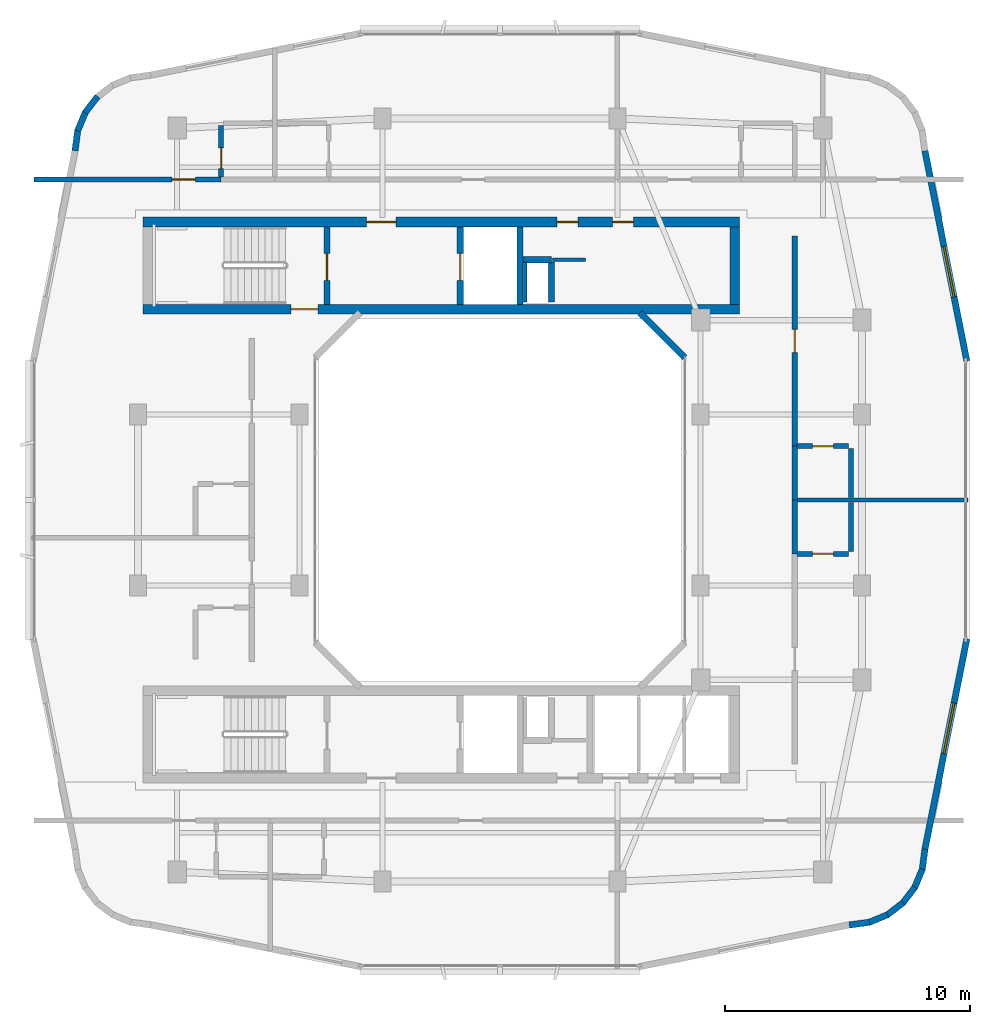
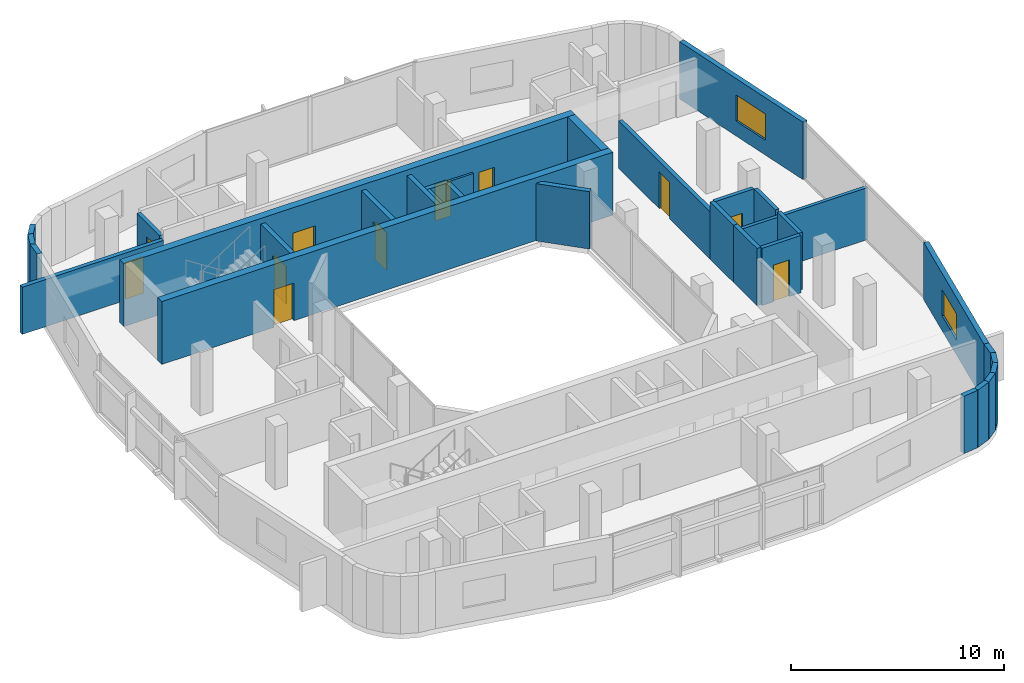
# One storey, part 8 of 13: 32 walls, 11 doors, 2 windows, 13 openings.
"""IFC4 building model written with IfcOpenShell, lengths in metres."""

from ifc_helpers import new_model, si_unit, derived_unit, direction, frame, frame_2d, origin, place, context, subcontext, project, spatial, rectangle, extrude, material, layer, layer_set, type_object, element, fill, save


model = new_model("IFC4")

# Units and contexts
model_context = context("Model", 3, precision=1e-05, world=origin(), true_north=direction((0.0, 1.0)))
body_context = subcontext(model_context, "Body", "Model", "MODEL_VIEW")
ifc_project = project(units=[si_unit("LENGTHUNIT", "METRE"), si_unit("AREAUNIT", "SQUARE_METRE"), si_unit("VOLUMEUNIT", "CUBIC_METRE"), si_unit("PLANEANGLEUNIT", "RADIAN"), si_unit("MASSUNIT", "GRAM", prefix="KILO"), derived_unit("THERMALTRANSMITTANCEUNIT", [(si_unit("POWERUNIT", "WATT"), 1), (si_unit("LENGTHUNIT", "METRE"), -2), (si_unit("THERMODYNAMICTEMPERATUREUNIT", "KELVIN"), -1)])], contexts=[model_context])

# Site, building, storey
site_placement = place(None, origin())
site = spatial("IfcSite", under=ifc_project, at=site_placement, CompositionType="ELEMENT")
building_placement = place(site_placement, origin())
building = spatial("IfcBuilding", under=site, at=building_placement, Name="Kivonza Crest Hotel", CompositionType="ELEMENT")
storey_placement = place(building_placement, frame((0.0, 0.0, 235.10009765625)))
storey = spatial("IfcBuildingStorey", under=building, at=storey_placement, Name="L64", CompositionType="ELEMENT", Elevation=235.10009765625)

# Wall
ifc_material_1 = material(Name="High-density acoustic masonry inter-tenancy wall", Category="masonry")
ifc_layer_1 = layer(ifc_material_1, 0.179931640625)
ifc_layer_set_1 = layer_set([ifc_layer_1], Name="High-density acoustic masonry inter-tenancy wall")
wall_type_1 = type_object("IfcWallType", Name="WL-ACOU-180", PredefinedType="SOLIDWALL", material=ifc_layer_set_1)
wall_1_placement = place(storey_placement, frame((33.050048828125, 25.0, 0.0), z_axis=(0.0, 0.0, 1.0), x_axis=(1.0, 0.0, 0.0)))
element("IfcWall", 1, at=wall_1_placement, inside=storey, type_object=wall_type_1, Name="L64 interior partition WA-L64-T1E-DIV1", PredefinedType="SOLIDWALL", context=body_context, shape_type="SweptSolid", body=[
    extrude(rectangle(XDim=7.08984375, YDim=0.179931640625, at=frame_2d((3.544921875, 0.0))), origin(), (0.0, 0.0, 1.0), 2.974853515625),
])

# Wall, opening, door
ifc_material_2 = material(Name="Autoclaved aerated concrete blockwork", Category="masonry")
ifc_layer_2 = layer(ifc_material_2, 0.219970703125)
ifc_layer_set_2 = layer_set([ifc_layer_2], Name="Autoclaved aerated concrete blockwork")
wall_type_2 = type_object("IfcWallType", Name="WL-ACOU-220", PredefinedType="SOLIDWALL", material=ifc_layer_set_2)
wall_2_placement = place(storey_placement, frame((1.9599609375, 38.10009765625, 0.0), z_axis=(0.0, 0.0, 1.0), x_axis=(1.0, 0.0, 0.0)))
wall_2 = element("IfcWall", 2, at=wall_2_placement, inside=storey, type_object=wall_type_2, Name="L64 interior partition WA-L64-N01-MCORR", PredefinedType="SOLIDWALL", context=body_context, shape_type="SweptSolid", body=[
    extrude(rectangle(XDim=7.64013671875, YDim=0.219970703125, at=frame_2d((3.820068359375, 0.0))), origin(), (0.0, 0.0, 1.0), 2.704833984375),
])
opening_1_placement = place(wall_2_placement, frame((5.639892578125, 0.0, 0.0)))
opening_1 = element("IfcOpeningElement", 3, at=opening_1_placement, cuts=wall_2, Name="Opening DU-60", PredefinedType="OPENING", context=body_context, shape_type="SweptSolid", body=[
    extrude(rectangle(XDim=0.949951171875, YDim=2.10009765625, at=frame_2d((0.47509765625, 1.050048828125))), frame((0.0, 0.1201171875, 0.0), z_axis=(0.0, -1.0, 0.0), x_axis=(1.0, 0.0, 0.0)), (0.0, 0.0, 1.0), 0.239990234375),
])
ifc_material_3 = material(Name="Hardwood timber oak", Category="wood")
door_type_1 = type_object("IfcDoorType", Name="DR-UNIT-950", OperationType="NOTDEFINED", PredefinedType="DOOR", material=ifc_material_3)
door_1_placement = place(opening_1_placement, origin())
door_1 = element("IfcDoor", 4, at=door_1_placement, inside=storey, type_object=door_type_1, Name="L64 N01 guest unit entrance fire door", OperationType="SINGLE_SWING_LEFT", OverallHeight=2.10009765625, OverallWidth=0.949951171875, PredefinedType="DOOR", context=body_context, shape_type="SweptSolid", body=[
    extrude(rectangle(XDim=0.949951171875, YDim=2.10009765625, at=frame_2d((0.47509765625, 1.050048828125))), frame((0.0, 0.02490234375, 0.0), z_axis=(0.0, -1.0, 0.0), x_axis=(1.0, 0.0, 0.0)), (0.0, 0.0, 1.0), 0.050048828125),
])
fill(opening_1, door_1)

# Walls
for number, where, z_axis, x_axis, name in (
    (5, (33.050048828125, 22.800048828125, 0.0), (0.0, 0.0, 1.0), (0.0, 1.0, 0.0), "L64 interior partition WA-L64-E08-BCORR"),
    (6, (33.050048828125, 25.0, 0.0), (0.0, 0.0, 1.0), (0.0, 1.0, 0.0), "L64 interior partition WA-L64-E09-BCORR"),
):
    element("IfcWall", number, at=place(storey_placement, frame(where, z_axis=z_axis, x_axis=x_axis)), inside=storey, type_object=wall_type_2, Name=name, PredefinedType="SOLIDWALL", context=body_context, shape_type="SweptSolid", body=[
        extrude(rectangle(XDim=2.199951171875, YDim=0.219970703125, at=frame_2d((1.10009765625, 0.0))), origin(), (0.0, 0.0, 1.0), 3.27978515625),
    ])

# Wall, opening, door
wall_3_placement = place(storey_placement, frame((33.050048828125, 27.199951171875, 0.0), z_axis=(0.0, 0.0, 1.0), x_axis=(0.0, 1.0, 0.0)))
wall_3 = element("IfcWall", 7, at=wall_3_placement, inside=storey, type_object=wall_type_2, Name="L64 interior partition WA-L64-E09-MCORR", PredefinedType="SOLIDWALL", context=body_context, shape_type="SweptSolid", body=[
    extrude(rectangle(XDim=8.60009765625, YDim=0.219970703125, at=frame_2d((4.300048828125, 0.0))), origin(), (0.0, 0.0, 1.0), 2.704833984375),
])
opening_2_placement = place(wall_3_placement, frame((3.824951171875, 0.0, 0.0)))
opening_2 = element("IfcOpeningElement", 8, at=opening_2_placement, cuts=wall_3, Name="Opening DU-60", PredefinedType="OPENING", context=body_context, shape_type="SweptSolid", body=[
    extrude(rectangle(XDim=0.949951171875, YDim=2.10009765625, at=frame_2d((0.47509765625, 1.050048828125))), frame((0.0, 0.1201171875, 0.0), z_axis=(0.0, -1.0, 0.0), x_axis=(1.0, 0.0, 0.0)), (0.0, 0.0, 1.0), 0.239990234375),
])
door_2_placement = place(opening_2_placement, frame((0.949951171875, 0.0, 0.0), z_axis=(0.0, 0.0, 1.0), x_axis=(-1.0, 0.0, 0.0)))
door_2 = element("IfcDoor", 9, at=door_2_placement, inside=storey, type_object=door_type_1, Name="L64 E09 guest unit entrance fire door", OperationType="SINGLE_SWING_LEFT", OverallHeight=2.10009765625, OverallWidth=0.949951171875, PredefinedType="DOOR", context=body_context, shape_type="SweptSolid", body=[
    extrude(rectangle(XDim=0.949951171875, YDim=2.10009765625, at=frame_2d((0.47509765625, 1.050048828125))), frame((0.0, 0.02490234375, 0.0), z_axis=(0.0, -1.0, 0.0), x_axis=(1.0, 0.0, 0.0)), (0.0, 0.0, 1.0), 0.050048828125),
])
fill(opening_2, door_2)

ifc_material_4 = material(Name="Concrete C50/60", Category="concrete")
ifc_layer_3 = layer(ifc_material_4, 0.39990234375)
ifc_layer_set_3 = layer_set([ifc_layer_3], Name="Concrete C50/60")
wall_type_3 = type_object("IfcWallType", Name="WL-CORE-400", PredefinedType="SHEAR", material=ifc_layer_set_3)
wall_4_placement = place(storey_placement, frame((6.39990234375, 32.800048828125, 0.0), z_axis=(0.0, 0.0, 1.0), x_axis=(1.0, 0.0, 0.0)))
wall_4 = element("IfcWall", 10, at=wall_4_placement, inside=storey, type_object=wall_type_3, Name="Core wall T1-N South L64", PredefinedType="SHEAR", context=body_context, shape_type="SweptSolid", body=[
    extrude(rectangle(XDim=24.400146484375, YDim=0.39990234375, at=frame_2d((12.2001953125, 0.0))), origin(), (0.0, 0.0, 1.0), 3.599853515625),
])
opening_3_placement = place(wall_4_placement, frame((6.050048828125, 0.0, 0.0)))
opening_3 = element("IfcOpeningElement", 11, at=opening_3_placement, cuts=wall_4, Name="Opening DF-120", PredefinedType="OPENING", context=body_context, shape_type="SweptSolid", body=[
    extrude(rectangle(XDim=1.10009765625, YDim=2.14990234375, at=frame_2d((0.550048828125, 1.074951171875))), frame((0.0, 0.2099609375, 0.0), z_axis=(0.0, -1.0, 0.0), x_axis=(1.0, 0.0, 0.0)), (0.0, 0.0, 1.0), 0.419921875),
])
ifc_material_5 = material(Name="Galvanised steel", Category="steel")
door_type_2 = type_object("IfcDoorType", Name="DR-FD120-1100", OperationType="NOTDEFINED", PredefinedType="DOOR", material=ifc_material_5)
door_3_placement = place(opening_3_placement, origin())
door_3 = element("IfcDoor", 12, at=door_3_placement, inside=storey, type_object=door_type_2, Name="L64 West corridor stair access fire door", OperationType="SINGLE_SWING_LEFT", OverallHeight=2.14990234375, OverallWidth=1.10009765625, PredefinedType="DOOR", context=body_context, shape_type="SweptSolid", body=[
    extrude(rectangle(XDim=1.10009765625, YDim=2.14990234375, at=frame_2d((0.550048828125, 1.074951171875))), frame((0.0, 0.02490234375, 0.0), z_axis=(0.0, -1.0, 0.0), x_axis=(1.0, 0.0, 0.0)), (0.0, 0.0, 1.0), 0.050048828125),
])
fill(opening_3, door_3)

# Wall, openings, doors
wall_5_placement = place(storey_placement, frame((6.39990234375, 36.360107421875, 0.0), z_axis=(0.0, 0.0, 1.0), x_axis=(1.0, 0.0, 0.0)))
wall_5 = element("IfcWall", 13, at=wall_5_placement, inside=storey, type_object=wall_type_3, Name="Core wall T1-N North L64", PredefinedType="SHEAR", context=body_context, shape_type="SweptSolid", body=[
    extrude(rectangle(XDim=24.400146484375, YDim=0.39990234375, at=frame_2d((12.2001953125, 0.0))), origin(), (0.0, 0.0, 1.0), 3.599853515625),
])
opening_4_placement = place(wall_5_placement, frame((9.14990234375, 0.0, 0.0)))
opening_4 = element("IfcOpeningElement", 14, at=opening_4_placement, cuts=wall_5, Name="Opening DF-60", PredefinedType="OPENING", context=body_context, shape_type="SweptSolid", body=[
    extrude(rectangle(XDim=1.199951171875, YDim=2.14990234375, at=frame_2d((0.60009765625, 1.074951171875))), frame((0.0, 0.2099609375, 0.0), z_axis=(0.0, -1.0, 0.0), x_axis=(1.0, 0.0, 0.0)), (0.0, 0.0, 1.0), 0.419921875),
])
opening_5_placement = place(wall_5_placement, frame((19.199951171875, 0.0, 0.0)))
opening_5 = element("IfcOpeningElement", 15, at=opening_5_placement, cuts=wall_5, Name="Opening DF-60R", PredefinedType="OPENING", context=body_context, shape_type="SweptSolid", body=[
    extrude(rectangle(XDim=0.85009765625, YDim=2.10009765625, at=frame_2d((0.425048828125, 1.050048828125))), frame((0.0, 0.2099609375, 0.0), z_axis=(0.0, -1.0, 0.0), x_axis=(1.0, 0.0, 0.0)), (0.0, 0.0, 1.0), 0.419921875),
])
opening_6_placement = place(wall_5_placement, frame((16.93994140625, 0.0, 0.0)))
opening_6 = element("IfcOpeningElement", 16, at=opening_6_placement, cuts=wall_5, Name="Opening DF-60R", PredefinedType="OPENING", context=body_context, shape_type="SweptSolid", body=[
    extrude(rectangle(XDim=0.85009765625, YDim=2.10009765625, at=frame_2d((0.425048828125, 1.050048828125))), frame((0.0, 0.2099609375, 0.0), z_axis=(0.0, -1.0, 0.0), x_axis=(1.0, 0.0, 0.0)), (0.0, 0.0, 1.0), 0.419921875),
])
door_type_3 = type_object("IfcDoorType", Name="DR-FD60-1200", OperationType="NOTDEFINED", PredefinedType="DOOR", material=ifc_material_3)
door_4_placement = place(opening_4_placement, origin())
door_4 = element("IfcDoor", 17, at=door_4_placement, inside=storey, type_object=door_type_3, Name="L64 T1-N firefighting lobby fire door", OperationType="SINGLE_SWING_RIGHT", OverallHeight=2.14990234375, OverallWidth=1.199951171875, PredefinedType="DOOR", context=body_context, shape_type="SweptSolid", body=[
    extrude(rectangle(XDim=1.199951171875, YDim=2.14990234375, at=frame_2d((0.60009765625, 1.074951171875))), frame((0.0, 0.02490234375, 0.0), z_axis=(0.0, -1.0, 0.0), x_axis=(1.0, 0.0, 0.0)), (0.0, 0.0, 1.0), 0.050048828125),
])
fill(opening_4, door_4)
door_type_4 = type_object("IfcDoorType", Name="DR-FD60-850", OperationType="NOTDEFINED", PredefinedType="DOOR", material=ifc_material_3)
door_5_placement = place(opening_5_placement, origin())
door_5 = element("IfcDoor", 18, at=door_5_placement, inside=storey, type_object=door_type_4, Name="L64 T1-N reclaimed core service door", OperationType="SINGLE_SWING_LEFT", OverallHeight=2.10009765625, OverallWidth=0.85009765625, PredefinedType="DOOR", context=body_context, shape_type="SweptSolid", body=[
    extrude(rectangle(XDim=0.85009765625, YDim=2.10009765625, at=frame_2d((0.425048828125, 1.050048828125))), frame((0.0, 0.02490234375, 0.0), z_axis=(0.0, -1.0, 0.0), x_axis=(1.0, 0.0, 0.0)), (0.0, 0.0, 1.0), 0.050048828125),
])
fill(opening_5, door_5)
door_6_placement = place(opening_6_placement, origin())
door_6 = element("IfcDoor", 19, at=door_6_placement, inside=storey, type_object=door_type_4, Name="L64 T1-N core room door", OperationType="SINGLE_SWING_RIGHT", OverallHeight=2.10009765625, OverallWidth=0.85009765625, PredefinedType="DOOR", context=body_context, shape_type="SweptSolid", body=[
    extrude(rectangle(XDim=0.85009765625, YDim=2.10009765625, at=frame_2d((0.425048828125, 1.050048828125))), frame((0.0, 0.02490234375, 0.0), z_axis=(0.0, -1.0, 0.0), x_axis=(1.0, 0.0, 0.0)), (0.0, 0.0, 1.0), 0.050048828125),
])
fill(opening_6, door_6)

# Walls
wall_6_placement = place(storey_placement, frame((30.60009765625, 33.0, 0.0), z_axis=(0.0, 0.0, 1.0), x_axis=(0.0, 1.0, 0.0)))
element("IfcWall", 20, at=wall_6_placement, inside=storey, type_object=wall_type_3, Name="Core wall T1-N East L64", PredefinedType="SHEAR", context=body_context, shape_type="SweptSolid", body=[
    extrude(rectangle(XDim=3.159912109375, YDim=0.39990234375, at=frame_2d((1.580078125, 0.0))), origin(), (0.0, 0.0, 1.0), 3.599853515625),
])
ifc_material_6 = material(Name="Precast concrete C40/50", Category="concrete")
ifc_layer_4 = layer(ifc_material_6, 0.260009765625)
ifc_layer_set_4 = layer_set([ifc_layer_4], Name="Precast concrete C40/50")
wall_type_4 = type_object("IfcWallType", Name="WL-EXT-260", PredefinedType="STANDARD", material=ifc_layer_set_4)
wall_7_placement = place(storey_placement, frame((35.27490234375, 7.6279296875, 0.0), z_axis=(0.0, 0.0, 1.0), x_axis=(0.9913883573, 0.130954667764, 0.0)))
element("IfcWall", 21, at=wall_7_placement, inside=storey, type_object=wall_type_4, Name="L64 T1 exterior insulated wall 10", PredefinedType="STANDARD", context=body_context, shape_type="SweptSolid", body=[
    extrude(rectangle(XDim=0.833251953125, YDim=0.260009765625, at=frame_2d((0.41650390625, 0.0))), origin(), (0.0, 0.0, 1.0), 3.27978515625),
])
wall_8_placement = place(storey_placement, frame((36.054931640625, 7.718994140625, 0.0), z_axis=(0.0, 0.0, 1.0), x_axis=(0.923754491172, 0.382985169477, 0.0)))
element("IfcWall", 22, at=wall_8_placement, inside=storey, type_object=wall_type_4, Name="L64 T1 exterior insulated wall 11", PredefinedType="STANDARD", context=body_context, shape_type="SweptSolid", body=[
    extrude(rectangle(XDim=0.85107421875, YDim=0.260009765625, at=frame_2d((0.425537109375, 0.0))), origin(), (0.0, 0.0, 1.0), 3.27978515625),
])
for number, where, z_axis, x_axis, name in (
    (23, (36.801025390625, 8.01708984375, 0.0), (0.0, 0.0, 1.0), (0.793999057278, 0.607918988881, 0.0), "L64 T1 exterior insulated wall 12"),
    (24, (37.445068359375, 8.49609375, 0.0), (0.0, 0.0, 1.0), (0.608057619941, 0.793892896323, 0.0), "L64 T1 exterior insulated wall 13"),
):
    element("IfcWall", number, at=place(storey_placement, frame(where, z_axis=z_axis, x_axis=x_axis)), inside=storey, type_object=wall_type_4, Name=name, PredefinedType="STANDARD", context=body_context, shape_type="SweptSolid", body=[
        extrude(rectangle(XDim=0.85009765625, YDim=0.260009765625, at=frame_2d((0.425048828125, 0.0))), origin(), (0.0, 0.0, 1.0), 3.27978515625),
    ])
wall_9_placement = place(storey_placement, frame((37.94091796875, 9.126953125, 0.0), z_axis=(0.0, 0.0, 1.0), x_axis=(0.383229930484, 0.923652976167, 0.0)))
element("IfcWall", 25, at=wall_9_placement, inside=storey, type_object=wall_type_4, Name="L64 T1 exterior insulated wall 14", PredefinedType="STANDARD", context=body_context, shape_type="SweptSolid", body=[
    extrude(rectangle(XDim=0.85107421875, YDim=0.260009765625, at=frame_2d((0.425537109375, 0.0))), origin(), (0.0, 0.0, 1.0), 3.27978515625),
])
wall_10_placement = place(storey_placement, frame((38.259033203125, 9.864013671875, 0.0), z_axis=(0.0, 0.0, 1.0), x_axis=(0.130156359936, 0.991493480548, 0.0)))
element("IfcWall", 26, at=wall_10_placement, inside=storey, type_object=wall_type_4, Name="L64 T1 exterior insulated wall 15", PredefinedType="STANDARD", context=body_context, shape_type="SweptSolid", body=[
    extrude(rectangle(XDim=0.868408203125, YDim=0.260009765625, at=frame_2d((0.43408203125, 0.0))), origin(), (0.0, 0.0, 1.0), 3.27978515625),
])

# Wall, opening, window
wall_11_placement = place(storey_placement, frame((38.37109375, 10.717041015625, 0.0), z_axis=(0.0, 0.0, 1.0), x_axis=(0.195291715883, 0.980745199176, 0.0)))
wall_11 = element("IfcWall", 27, at=wall_11_placement, inside=storey, type_object=wall_type_4, Name="L64 T1 exterior insulated wall 16", PredefinedType="STANDARD", context=body_context, shape_type="SweptSolid", body=[
    extrude(rectangle(XDim=8.77099609375, YDim=0.260009765625, at=frame_2d((4.385498046875, 0.0))), origin(), (0.0, 0.0, 1.0), 3.27978515625),
])
opening_7_placement = place(wall_11_placement, frame((4.0, 0.0, 0.85009765625)))
opening_7 = element("IfcOpeningElement", 28, at=opening_7_placement, cuts=wall_11, Name="Opening WN-04", PredefinedType="OPENING", context=body_context, shape_type="SweptSolid", body=[
    extrude(rectangle(XDim=2.10009765625, YDim=1.5, at=frame_2d((1.050048828125, 0.75))), frame((0.0, 0.14013671875, 0.0), z_axis=(0.0, -1.0, 0.0), x_axis=(1.0, 0.0, 0.0)), (0.0, 0.0, 1.0), 0.280029296875),
])
ifc_material_7 = material(Name="Thermally broken bronze aluminium and low-E double glazing", Category="aluminium")
window_type = type_object("IfcWindowType", Name="WN-210x150", PartitioningType="DOUBLE_PANEL_VERTICAL", PredefinedType="WINDOW", material=ifc_material_7)
window_1_placement = place(opening_7_placement, origin())
window_1 = element("IfcWindow", 29, at=window_1_placement, inside=storey, type_object=window_type, Name="L64 T1 facade window 16", OverallHeight=1.5, OverallWidth=2.10009765625, PartitioningType="SINGLE_PANEL", PredefinedType="WINDOW", context=body_context, shape_type="SweptSolid", body=[
    extrude(rectangle(XDim=2.10009765625, YDim=1.5, at=frame_2d((1.050048828125, 0.75))), frame((0.0, 0.030029296875, 0.0), z_axis=(0.0, -1.0, 0.0), x_axis=(1.0, 0.0, 0.0)), (0.0, 0.0, 1.0), 0.06005859375),
])
fill(opening_7, window_1)

wall_12_placement = place(storey_placement, frame((40.083984375, 30.680908203125, 0.0), z_axis=(0.0, 0.0, 1.0), x_axis=(-0.195291715883, 0.980745199176, 0.0)))
wall_12 = element("IfcWall", 30, at=wall_12_placement, inside=storey, type_object=wall_type_4, Name="L64 T1 exterior insulated wall 18", PredefinedType="STANDARD", context=body_context, shape_type="SweptSolid", body=[
    extrude(rectangle(XDim=8.77099609375, YDim=0.260009765625, at=frame_2d((4.385498046875, 0.0))), origin(), (0.0, 0.0, 1.0), 3.27978515625),
])
opening_8_placement = place(wall_12_placement, frame((2.669921875, 0.0, 0.85009765625)))
opening_8 = element("IfcOpeningElement", 31, at=opening_8_placement, cuts=wall_12, Name="Opening WN-04", PredefinedType="OPENING", context=body_context, shape_type="SweptSolid", body=[
    extrude(rectangle(XDim=2.10009765625, YDim=1.5, at=frame_2d((1.050048828125, 0.75))), frame((0.0, 0.14013671875, 0.0), z_axis=(0.0, -1.0, 0.0), x_axis=(1.0, 0.0, 0.0)), (0.0, 0.0, 1.0), 0.280029296875),
])
window_2_placement = place(opening_8_placement, origin())
window_2 = element("IfcWindow", 32, at=window_2_placement, inside=storey, type_object=window_type, Name="L64 T1 facade window 18", OverallHeight=1.5, OverallWidth=2.10009765625, PartitioningType="SINGLE_PANEL", PredefinedType="WINDOW", context=body_context, shape_type="SweptSolid", body=[
    extrude(rectangle(XDim=2.10009765625, YDim=1.5, at=frame_2d((1.050048828125, 0.75))), frame((0.0, 0.030029296875, 0.0), z_axis=(0.0, -1.0, 0.0), x_axis=(1.0, 0.0, 0.0)), (0.0, 0.0, 1.0), 0.06005859375),
])
fill(opening_8, window_2)

# Walls
wall_13_placement = place(storey_placement, frame((4.554931640625, 41.50390625, 0.0), z_axis=(0.0, 0.0, 1.0), x_axis=(-0.608057619941, -0.793892896323, 0.0)))
element("IfcWall", 33, at=wall_13_placement, inside=storey, type_object=wall_type_4, Name="L64 T1 exterior insulated wall 31", PredefinedType="STANDARD", context=body_context, shape_type="SweptSolid", body=[
    extrude(rectangle(XDim=0.85009765625, YDim=0.260009765625, at=frame_2d((0.425048828125, 0.0))), origin(), (0.0, 0.0, 1.0), 3.27978515625),
])
wall_14_placement = place(storey_placement, frame((4.05908203125, 40.873046875, 0.0), z_axis=(0.0, 0.0, 1.0), x_axis=(-0.383229930484, -0.923652976167, 0.0)))
element("IfcWall", 34, at=wall_14_placement, inside=storey, type_object=wall_type_4, Name="L64 T1 exterior insulated wall 32", PredefinedType="STANDARD", context=body_context, shape_type="SweptSolid", body=[
    extrude(rectangle(XDim=0.85107421875, YDim=0.260009765625, at=frame_2d((0.425537109375, 0.0))), origin(), (0.0, 0.0, 1.0), 3.27978515625),
])
wall_15_placement = place(storey_placement, frame((3.740966796875, 40.135986328125, 0.0), z_axis=(0.0, 0.0, 1.0), x_axis=(-0.130156359936, -0.991493480548, 0.0)))
element("IfcWall", 35, at=wall_15_placement, inside=storey, type_object=wall_type_4, Name="L64 T1 exterior insulated wall 33", PredefinedType="STANDARD", context=body_context, shape_type="SweptSolid", body=[
    extrude(rectangle(XDim=0.868408203125, YDim=0.260009765625, at=frame_2d((0.43408203125, 0.0))), origin(), (0.0, 0.0, 1.0), 3.27978515625),
])
wall_16_placement = place(storey_placement, frame((28.555908203125, 30.827880859375, 0.0), z_axis=(0.0, 0.0, 1.0), x_axis=(-0.707059717605, 0.707153841636, 0.0)))
element("IfcWall", 36, at=wall_16_placement, inside=storey, type_object=wall_type_4, Name="L64 T1 light-well exterior wall 4", PredefinedType="STANDARD", context=body_context, shape_type="SweptSolid", body=[
    extrude(rectangle(XDim=2.59375, YDim=0.260009765625, at=frame_2d((1.296875, 0.0))), origin(), (0.0, 0.0, 1.0), 3.27978515625),
])
ifc_material_8 = material(Name="Concrete blockwork fire-compartment wall", Category="masonry")
ifc_layer_5 = layer(ifc_material_8, 0.25)
ifc_layer_set_5 = layer_set([ifc_layer_5], Name="Concrete blockwork fire-compartment wall")
wall_type_5 = type_object("IfcWallType", Name="WL-FIRE-250", PredefinedType="SOLIDWALL", material=ifc_layer_set_5)
wall_17_placement = place(storey_placement, frame((23.10009765625, 33.10009765625, 0.0), z_axis=(0.0, 0.0, 1.0), x_axis=(0.0, 1.0, 0.0)))
element("IfcWall", 37, at=wall_17_placement, inside=storey, type_object=wall_type_5, Name="L64 interior partition WA-L64-T1-N-MEPR-E", PredefinedType="SOLIDWALL", context=body_context, shape_type="SweptSolid", body=[
    extrude(rectangle(XDim=1.619873046875, YDim=0.25, at=frame_2d((0.81005859375, 0.0))), origin(), (0.0, 0.0, 1.0), 3.27978515625),
])
wall_18_placement = place(storey_placement, frame((21.949951171875, 34.820068359375, 0.0), z_axis=(0.0, 0.0, 1.0), x_axis=(1.0, 0.0, 0.0)))
element("IfcWall", 38, at=wall_18_placement, inside=storey, type_object=wall_type_5, Name="L64 interior partition WA-L64-T1-N-MEPR-H", PredefinedType="SOLIDWALL", context=body_context, shape_type="SweptSolid", body=[
    extrude(rectangle(XDim=1.150146484375, YDim=0.25, at=frame_2d((0.5751953125, 0.0))), origin(), (0.0, 0.0, 1.0), 3.27978515625),
])
ifc_material_9 = material(Name="Metal-stud gypsum board partition", Category="gypsum")
ifc_layer_6 = layer(ifc_material_9, 0.125)
ifc_layer_set_6 = layer_set([ifc_layer_6], Name="Metal-stud gypsum board partition")
wall_type_6 = type_object("IfcWallType", Name="WL-PART-125", PredefinedType="PARTITIONING", material=ifc_layer_set_6)
wall_19_placement = place(storey_placement, frame((23.14990234375, 34.820068359375, 0.0), z_axis=(0.0, 0.0, 1.0), x_axis=(1.0, 0.0, 0.0)))
element("IfcWall", 39, at=wall_19_placement, inside=storey, type_object=wall_type_6, Name="L64 interior partition WP-L64-T1-N-SV2H", PredefinedType="PARTITIONING", context=body_context, shape_type="SweptSolid", body=[
    extrude(rectangle(XDim=1.35009765625, YDim=0.125, at=frame_2d((0.675048828125, 0.0))), origin(), (0.0, 0.0, 1.0), 3.27978515625),
])
ifc_material_10 = material(Name="Twin-stud acoustic gypsum board partition", Category="gypsum")
ifc_layer_7 = layer(ifc_material_10, 0.14990234375)
ifc_layer_set_7 = layer_set([ifc_layer_7], Name="Twin-stud acoustic gypsum board partition")
wall_type_7 = type_object("IfcWallType", Name="WL-PART-150", PredefinedType="PARTITIONING", material=ifc_layer_set_7)
wall_20_placement = place(storey_placement, frame((22.030029296875, 33.10009765625, 0.0), z_axis=(0.0, 0.0, 1.0), x_axis=(0.0, 1.0, 0.0)))
element("IfcWall", 40, at=wall_20_placement, inside=storey, type_object=wall_type_7, Name="L64 interior partition WA-L64-T1-N-MEPR-W", PredefinedType="PARTITIONING", context=body_context, shape_type="SweptSolid", body=[
    extrude(rectangle(XDim=1.619873046875, YDim=0.14990234375, at=frame_2d((0.81005859375, 0.0))), origin(), (0.0, 0.0, 1.0), 3.27978515625),
])

# Wall, opening, door
ifc_material_11 = material(Name="Moisture-resistant plumbing chase partition wall", Category="gypsum")
ifc_layer_8 = layer(ifc_material_11, 0.199951171875)
ifc_layer_set_8 = layer_set([ifc_layer_8], Name="Moisture-resistant plumbing chase partition wall")
wall_type_8 = type_object("IfcWallType", Name="WL-PLUMB-200", PredefinedType="PLUMBINGWALL", material=ifc_layer_set_8)
wall_21_placement = place(storey_placement, frame((9.60009765625, 38.199951171875, 0.0), z_axis=(0.0, 0.0, 1.0), x_axis=(0.0, 1.0, 0.0)))
wall_21 = element("IfcWall", 41, at=wall_21_placement, inside=storey, type_object=wall_type_8, Name="L64 interior partition WW-L64-N01-BV", PredefinedType="PLUMBINGWALL", context=body_context, shape_type="SweptSolid", body=[
    extrude(rectangle(XDim=2.10009765625, YDim=0.199951171875, at=frame_2d((1.050048828125, 0.0))), origin(), (0.0, 0.0, 1.0), 2.89501953125),
])
opening_9_placement = place(wall_21_placement, frame((0.344970703125, 0.0, 0.0)))
opening_9 = element("IfcOpeningElement", 42, at=opening_9_placement, cuts=wall_21, Name="Opening DI-85", PredefinedType="OPENING", context=body_context, shape_type="SweptSolid", body=[
    extrude(rectangle(XDim=0.85009765625, YDim=2.10009765625, at=frame_2d((0.425048828125, 1.050048828125))), frame((0.0, 0.10986328125, 0.0), z_axis=(0.0, -1.0, 0.0), x_axis=(1.0, 0.0, 0.0)), (0.0, 0.0, 1.0), 0.219970703125),
])
door_type_5 = type_object("IfcDoorType", Name="DR-INT-850", OperationType="NOTDEFINED", PredefinedType="DOOR", material=ifc_material_3)
door_7_placement = place(opening_9_placement, origin())
door_7 = element("IfcDoor", 43, at=door_7_placement, inside=storey, type_object=door_type_5, Name="L64 N01 en-suite bathroom door", OperationType="SINGLE_SWING_RIGHT", OverallHeight=2.10009765625, OverallWidth=0.85009765625, PredefinedType="DOOR", context=body_context, shape_type="SweptSolid", body=[
    extrude(rectangle(XDim=0.85009765625, YDim=2.10009765625, at=frame_2d((0.425048828125, 1.050048828125))), frame((0.0, 0.02490234375, 0.0), z_axis=(0.0, -1.0, 0.0), x_axis=(1.0, 0.0, 0.0)), (0.0, 0.0, 1.0), 0.050048828125),
])
fill(opening_9, door_7)

wall_22_placement = place(storey_placement, frame((33.14990234375, 22.800048828125, 0.0), z_axis=(0.0, 0.0, 1.0), x_axis=(1.0, 0.0, 0.0)))
wall_22 = element("IfcWall", 44, at=wall_22_placement, inside=storey, type_object=wall_type_8, Name="L64 interior partition WW-L64-E08-BH", PredefinedType="PLUMBINGWALL", context=body_context, shape_type="SweptSolid", body=[
    extrude(rectangle(XDim=2.10009765625, YDim=0.199951171875, at=frame_2d((1.050048828125, 0.0))), origin(), (0.0, 0.0, 1.0), 3.27978515625),
])
opening_10_placement = place(wall_22_placement, frame((0.625, 0.0, 0.0)))
opening_10 = element("IfcOpeningElement", 45, at=opening_10_placement, cuts=wall_22, Name="Opening DI-85", PredefinedType="OPENING", context=body_context, shape_type="SweptSolid", body=[
    extrude(rectangle(XDim=0.85009765625, YDim=2.10009765625, at=frame_2d((0.425048828125, 1.050048828125))), frame((0.0, 0.10986328125, 0.0), z_axis=(0.0, -1.0, 0.0), x_axis=(1.0, 0.0, 0.0)), (0.0, 0.0, 1.0), 0.219970703125),
])
door_8_placement = place(opening_10_placement, frame((0.85009765625, 0.0, 0.0), z_axis=(0.0, 0.0, 1.0), x_axis=(-1.0, 0.0, 0.0)))
door_8 = element("IfcDoor", 46, at=door_8_placement, inside=storey, type_object=door_type_5, Name="L64 E08 en-suite bathroom door", OperationType="SINGLE_SWING_LEFT", OverallHeight=2.10009765625, OverallWidth=0.85009765625, PredefinedType="DOOR", context=body_context, shape_type="SweptSolid", body=[
    extrude(rectangle(XDim=0.85009765625, YDim=2.10009765625, at=frame_2d((0.425048828125, 1.050048828125))), frame((0.0, 0.02490234375, 0.0), z_axis=(0.0, -1.0, 0.0), x_axis=(1.0, 0.0, 0.0)), (0.0, 0.0, 1.0), 0.050048828125),
])
fill(opening_10, door_8)

# Wall
wall_23_placement = place(storey_placement, frame((35.35009765625, 22.89990234375, 0.0), z_axis=(0.0, 0.0, 1.0), x_axis=(0.0, 1.0, 0.0)))
element("IfcWall", 47, at=wall_23_placement, inside=storey, type_object=wall_type_8, Name="L64 interior partition WW-L64-E08-BV", PredefinedType="PLUMBINGWALL", context=body_context, shape_type="SweptSolid", body=[
    extrude(rectangle(XDim=2.0, YDim=0.199951171875, at=frame_2d((1.0, 0.0))), origin(), (0.0, 0.0, 1.0), 3.27978515625),
])

# Wall, opening, door
wall_24_placement = place(storey_placement, frame((33.14990234375, 27.199951171875, 0.0), z_axis=(0.0, 0.0, 1.0), x_axis=(1.0, 0.0, 0.0)))
wall_24 = element("IfcWall", 48, at=wall_24_placement, inside=storey, type_object=wall_type_8, Name="L64 interior partition WW-L64-E09-BH", PredefinedType="PLUMBINGWALL", context=body_context, shape_type="SweptSolid", body=[
    extrude(rectangle(XDim=2.10009765625, YDim=0.199951171875, at=frame_2d((1.050048828125, 0.0))), origin(), (0.0, 0.0, 1.0), 3.27978515625),
])
opening_11_placement = place(wall_24_placement, frame((0.625, 0.0, 0.0)))
opening_11 = element("IfcOpeningElement", 49, at=opening_11_placement, cuts=wall_24, Name="Opening DI-85", PredefinedType="OPENING", context=body_context, shape_type="SweptSolid", body=[
    extrude(rectangle(XDim=0.85009765625, YDim=2.10009765625, at=frame_2d((0.425048828125, 1.050048828125))), frame((0.0, 0.10986328125, 0.0), z_axis=(0.0, -1.0, 0.0), x_axis=(1.0, 0.0, 0.0)), (0.0, 0.0, 1.0), 0.219970703125),
])
door_9_placement = place(opening_11_placement, origin())
door_9 = element("IfcDoor", 50, at=door_9_placement, inside=storey, type_object=door_type_5, Name="L64 E09 en-suite bathroom door", OperationType="SINGLE_SWING_RIGHT", OverallHeight=2.10009765625, OverallWidth=0.85009765625, PredefinedType="DOOR", context=body_context, shape_type="SweptSolid", body=[
    extrude(rectangle(XDim=0.85009765625, YDim=2.10009765625, at=frame_2d((0.425048828125, 1.050048828125))), frame((0.0, 0.02490234375, 0.0), z_axis=(0.0, -1.0, 0.0), x_axis=(1.0, 0.0, 0.0)), (0.0, 0.0, 1.0), 0.050048828125),
])
fill(opening_11, door_9)

# Wall
wall_25_placement = place(storey_placement, frame((35.35009765625, 25.10009765625, 0.0), z_axis=(0.0, 0.0, 1.0), x_axis=(0.0, 1.0, 0.0)))
element("IfcWall", 51, at=wall_25_placement, inside=storey, type_object=wall_type_8, Name="L64 interior partition WW-L64-E09-BV", PredefinedType="PLUMBINGWALL", context=body_context, shape_type="SweptSolid", body=[
    extrude(rectangle(XDim=2.0, YDim=0.199951171875, at=frame_2d((1.0, 0.0))), origin(), (0.0, 0.0, 1.0), 3.27978515625),
])

# Wall, opening, door
ifc_layer_9 = layer(ifc_material_4, 0.25)
ifc_layer_set_9 = layer_set([ifc_layer_9], Name="Concrete C50/60")
wall_type_9 = type_object("IfcWallType", Name="WL-SHAFT-250", PredefinedType="STANDARD", material=ifc_layer_set_9)
wall_26_placement = place(storey_placement, frame((13.925048828125, 33.0, 0.0), z_axis=(0.0, 0.0, 1.0), x_axis=(0.0, 1.0, 0.0)))
wall_26 = element("IfcWall", 52, at=wall_26_placement, inside=storey, type_object=wall_type_9, Name="Core shaft wall T1-N STAIR L64", PredefinedType="STANDARD", context=body_context, shape_type="SweptSolid", body=[
    extrude(rectangle(XDim=3.159912109375, YDim=0.25, at=frame_2d((1.580078125, 0.0))), origin(), (0.0, 0.0, 1.0), 3.27978515625),
])
opening_12_placement = place(wall_26_placement, frame((0.97998046875, 0.0, 0.0)))
opening_12 = element("IfcOpeningElement", 53, at=opening_12_placement, cuts=wall_26, Name="Opening DF-120", PredefinedType="OPENING", context=body_context, shape_type="SweptSolid", body=[
    extrude(rectangle(XDim=1.10009765625, YDim=2.14990234375, at=frame_2d((0.550048828125, 1.074951171875))), frame((0.0, 0.135009765625, 0.0), z_axis=(0.0, -1.0, 0.0), x_axis=(1.0, 0.0, 0.0)), (0.0, 0.0, 1.0), 0.27001953125),
])
door_10_placement = place(opening_12_placement, frame((1.10009765625, 0.0, 0.0), z_axis=(0.0, 0.0, 1.0), x_axis=(-1.0, 0.0, 0.0)))
door_10 = element("IfcDoor", 54, at=door_10_placement, inside=storey, type_object=door_type_2, Name="L64 T1-N stair fire door", OperationType="SINGLE_SWING_LEFT", OverallHeight=2.14990234375, OverallWidth=1.10009765625, PredefinedType="DOOR", context=body_context, shape_type="SweptSolid", body=[
    extrude(rectangle(XDim=1.10009765625, YDim=2.14990234375, at=frame_2d((0.550048828125, 1.074951171875))), frame((0.0, 0.02490234375, 0.0), z_axis=(0.0, -1.0, 0.0), x_axis=(1.0, 0.0, 0.0)), (0.0, 0.0, 1.0), 0.050048828125),
])
fill(opening_12, door_10)

wall_27_placement = place(storey_placement, frame((19.375, 33.0, 0.0), z_axis=(0.0, 0.0, 1.0), x_axis=(0.0, 1.0, 0.0)))
wall_27 = element("IfcWall", 55, at=wall_27_placement, inside=storey, type_object=wall_type_9, Name="Core shaft wall T1-N FFL-W L64", PredefinedType="STANDARD", context=body_context, shape_type="SweptSolid", body=[
    extrude(rectangle(XDim=3.159912109375, YDim=0.25, at=frame_2d((1.580078125, 0.0))), origin(), (0.0, 0.0, 1.0), 3.27978515625),
])
opening_13_placement = place(wall_27_placement, frame((0.97998046875, 0.0, 0.0)))
opening_13 = element("IfcOpeningElement", 56, at=opening_13_placement, cuts=wall_27, Name="Opening LD-120", PredefinedType="OPENING", context=body_context, shape_type="SweptSolid", body=[
    extrude(rectangle(XDim=1.10009765625, YDim=2.14990234375, at=frame_2d((0.550048828125, 1.074951171875))), frame((0.0, 0.135009765625, 0.0), z_axis=(0.0, -1.0, 0.0), x_axis=(1.0, 0.0, 0.0)), (0.0, 0.0, 1.0), 0.27001953125),
])
ifc_material_12 = material(Name="Stainless steel", Category="steel")
door_type_6 = type_object("IfcDoorType", Name="DR-LD120-1100", OperationType="NOTDEFINED", PredefinedType="DOOR", material=ifc_material_12)
door_11_placement = place(opening_13_placement, origin())
door_11 = element("IfcDoor", 57, at=door_11_placement, inside=storey, type_object=door_type_6, Name="L64 FFL-T1-N firefighting lift sliding landing door", OperationType="DOUBLE_DOOR_SLIDING", OverallHeight=2.14990234375, OverallWidth=1.10009765625, PredefinedType="DOOR", context=body_context, shape_type="SweptSolid", body=[
    extrude(rectangle(XDim=1.10009765625, YDim=2.14990234375, at=frame_2d((0.550048828125, 1.074951171875))), frame((0.0, 0.02490234375, 0.0), z_axis=(0.0, -1.0, 0.0), x_axis=(1.0, 0.0, 0.0)), (0.0, 0.0, 1.0), 0.050048828125),
])
fill(opening_13, door_11)

# Wall
wall_28_placement = place(storey_placement, frame((21.824951171875, 33.0, 0.0), z_axis=(0.0, 0.0, 1.0), x_axis=(0.0, 1.0, 0.0)))
element("IfcWall", 58, at=wall_28_placement, inside=storey, type_object=wall_type_9, Name="Core shaft wall T1-N FFL-E L64", PredefinedType="STANDARD", context=body_context, shape_type="SweptSolid", body=[
    extrude(rectangle(XDim=3.159912109375, YDim=0.25, at=frame_2d((1.580078125, 0.0))), origin(), (0.0, 0.0, 1.0), 3.27978515625),
])

save(model, "model.ifc")
